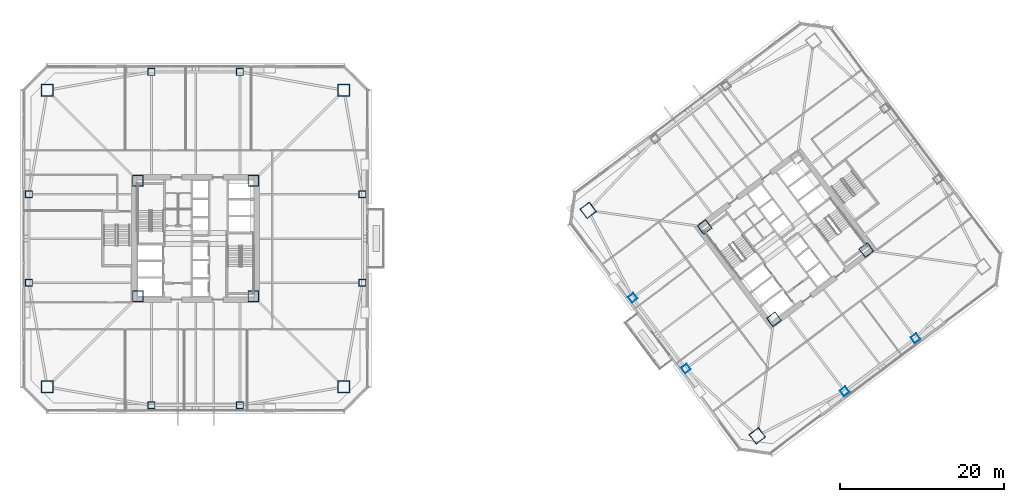
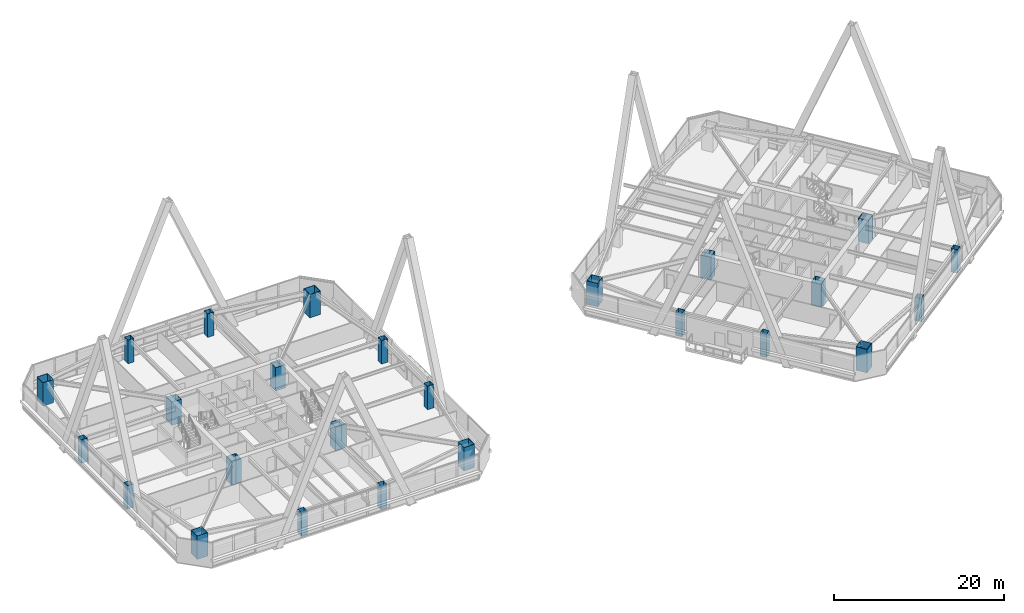
# One storey, part 1 of 54: 25 columns.
"""IFC4 building model written with IfcOpenShell, lengths in metres."""

import ifcopenshell
import ifcopenshell.guid

model = None  # the IFC model being written
_history = None  # IfcOwnerHistory: only IFC2X3 demands one
_inside = {}  # id of a spatial element -> (the spatial element, [elements in it])
_under = {}  # id of a project, library or spatial element -> (it, [spatial elements below it])
_declared = {}  # id of a project -> (the project, [libraries it declares])
_typed = {}  # id of a type object -> (the type object, [elements of that type])
_made_of = {}  # id of a material, layer set ... -> (it, [elements and type objects made of it])


def new_model(schema):
    """Start an empty IFC model of exactly this schema.

    Asked for "IFC4X3", IfcOpenShell would pick the latest addendum, in which some entities
    have other attributes; the version numbers below select the first issue.
    IFC2X3 requires an IfcOwnerHistory on every rooted entity: one is made here for all.
    """
    global model, _history
    if schema == "IFC4X3":
        model = ifcopenshell.file(schema_version=(4, 3, 0, 0))
    else:
        model = ifcopenshell.file(schema=schema)
    _inside.clear()
    _under.clear()
    _declared.clear()
    _typed.clear()
    _made_of.clear()
    _history = None
    if model.schema == "IFC2X3":
        org = make("IfcOrganization", Name="unknown")
        user = make(
            "IfcPersonAndOrganization",
            ThePerson=make("IfcPerson", FamilyName="unknown"),
            TheOrganization=org,
        )
        app = make(
            "IfcApplication",
            ApplicationDeveloper=org,
            Version="unknown",
            ApplicationFullName="unknown",
            ApplicationIdentifier="unknown",
        )
        _history = make(
            "IfcOwnerHistory",
            OwningUser=user,
            OwningApplication=app,
            ChangeAction="ADDED",
            CreationDate=0,
        )
    return model


def make(cls, **values):
    """One entity of the class cls with the attributes given. An attribute that is None is left unset."""
    return model.create_entity(
        cls, **{name: value for name, value in values.items() if value is not None}
    )


def rooted(cls, **values):
    """An entity with a GlobalId (a new one), such as an element, a storey or a relation."""
    return make(cls, GlobalId=ifcopenshell.guid.new(), OwnerHistory=_history, **values)


def si_unit(unit_type, name, prefix=None):
    """IfcSIUnit, for example si_unit("LENGTHUNIT", "METRE", prefix="MILLI")."""
    return make("IfcSIUnit", UnitType=unit_type, Prefix=prefix, Name=name)


def assignment(units):
    """IfcUnitAssignment: the units of a project."""
    return None if units is None else make("IfcUnitAssignment", Units=units)


def point(xyz):
    """IfcCartesianPoint."""
    return None if xyz is None else make("IfcCartesianPoint", Coordinates=xyz)


def direction(xyz):
    """IfcDirection."""
    return None if xyz is None else make("IfcDirection", DirectionRatios=xyz)


def frame(location, z_axis=None, x_axis=None):
    """IfcAxis2Placement3D, a coordinate frame: its origin and axes. An axis left out is left unset."""
    return make(
        "IfcAxis2Placement3D",
        Location=point(location),
        Axis=direction(z_axis),
        RefDirection=direction(x_axis),
    )


def frame_2d(location, x_axis=None):
    """IfcAxis2Placement2D, a coordinate frame in the plane: its origin and x axis."""
    return make(
        "IfcAxis2Placement2D", Location=point(location), RefDirection=direction(x_axis)
    )


def origin():
    """The frame at (0, 0, 0) with its axes left unset."""
    return frame((0.0, 0.0, 0.0))


def origin_2d():
    """The frame at (0, 0) in the plane with its x axis left unset."""
    return frame_2d((0.0, 0.0))


def place(relative_to, where):
    """IfcLocalPlacement: puts the frame where relative to a parent placement (None: the world)."""
    return make(
        "IfcLocalPlacement", PlacementRelTo=relative_to, RelativePlacement=where
    )


def context(
    kind, dimensions, precision=None, world=None, true_north=None, identifier=None
):
    """IfcGeometricRepresentationContext, for example the 3D "Model" context."""
    return make(
        "IfcGeometricRepresentationContext",
        ContextIdentifier=identifier,
        ContextType=kind,
        CoordinateSpaceDimension=dimensions,
        Precision=precision,
        WorldCoordinateSystem=world,
        TrueNorth=true_north,
    )


def subcontext(parent, identifier, kind, view, scale=None):
    """IfcGeometricRepresentationSubContext, for example "Body" below "Model"."""
    return make(
        "IfcGeometricRepresentationSubContext",
        ContextIdentifier=identifier,
        ContextType=kind,
        ParentContext=parent,
        TargetScale=scale,
        TargetView=view,
    )


def project(units=None, contexts=None):
    """IfcProject with its units and contexts."""
    return rooted(
        "IfcProject",
        Name="project",
        RepresentationContexts=contexts,
        UnitsInContext=assignment(units),
    )


def spatial(cls, under=None, at=None, **own):
    """A site, building, storey or space (cls), placed at a placement, below another one or the project."""
    s = rooted(cls, ObjectPlacement=at, **own)
    if under is not None:
        _under.setdefault(under.id(), (under, []))[1].append(s)
    return s


def profile(cls, at=None, kind="AREA", **sizes):
    """A parametric profile (cls). Its sizes go by their IFC names, for example OverallWidth=200.0."""
    return make(cls, ProfileType=kind, Position=at, **sizes)


def hollow_rectangle(**sizes):
    """IfcRectangleHollowProfileDef."""
    return profile("IfcRectangleHollowProfileDef", **sizes)


def extrude(swept, where, along, depth):
    """IfcExtrudedAreaSolid: the profile swept, set in the frame where, extruded along a direction by depth."""
    return make(
        "IfcExtrudedAreaSolid",
        SweptArea=swept,
        Position=where,
        ExtrudedDirection=direction(along),
        Depth=depth,
    )


def shape(context_of_items, identifier, shape_type, items):
    """IfcShapeRepresentation: the items that make up one representation, for example the "Body"."""
    return make(
        "IfcShapeRepresentation",
        ContextOfItems=context_of_items,
        RepresentationIdentifier=identifier,
        RepresentationType=shape_type,
        Items=items,
    )


def material(Name=None, Category=None):
    """IfcMaterial."""
    return make("IfcMaterial", Name=Name, Category=Category)


def material_profile(
    of_material, cross_section, Name=None, Category=None, Priority=None
):
    """IfcMaterialProfile: a cross section and its material."""
    return make(
        "IfcMaterialProfile",
        Name=Name,
        Material=of_material,
        Profile=cross_section,
        Priority=Priority,
        Category=Category,
    )


def profile_set(profiles, Name=None, composite=None):
    """IfcMaterialProfileSet."""
    return make(
        "IfcMaterialProfileSet",
        Name=Name,
        MaterialProfiles=profiles,
        CompositeProfile=composite,
    )


def made_of(thing, what):
    """Note that an element or type object is made of a material, layer set ...; save() writes the relation."""
    if what is not None:
        _made_of.setdefault(what.id(), (what, []))[1].append(thing)
    return thing


def type_object(cls, material=None, **own):
    """A type object (cls), such as IfcWallType, which elements share."""
    return made_of(rooted(cls, **own), material)


def element(
    cls,
    number,
    at=None,
    inside=None,
    cuts=None,
    type_object=None,
    material=None,
    context=None,
    identifier="Body",
    shape_type=None,
    held_by="IfcProductDefinitionShape",
    body=None,
    shapes=None,
    **own,
):
    """One element of the class cls, such as IfcWall. Its Tag is "e" and its number.

    at: its placement. inside: the storey or other place that contains it. cuts: it is an
    opening in that element (IfcRelVoidsElement). A single representation is given by context,
    identifier, shape_type and body (its items); several are given by shapes. held_by: the class
    of the entity that holds the representations. save() writes the other relations.
    """
    e = rooted(cls, Tag="e%d" % number, ObjectPlacement=at, **own)
    if body is not None:
        shapes = [shape(context, identifier, shape_type, body)]
    if shapes is not None:
        e.Representation = make(held_by, Representations=shapes)
    if inside is not None:
        _inside.setdefault(inside.id(), (inside, []))[1].append(e)
    if cuts is not None:
        rooted(
            "IfcRelVoidsElement", RelatingBuildingElement=cuts, RelatedOpeningElement=e
        )
    if type_object is not None:
        _typed.setdefault(type_object.id(), (type_object, []))[1].append(e)
    return made_of(e, material)


def aggregate(whole, parts):
    """IfcRelAggregates: a whole, such as a stair, and the parts it consists of."""
    return rooted("IfcRelAggregates", RelatingObject=whole, RelatedObjects=parts)


def save(model, path):
    """Write the relations noted so far, then the file.

    IfcRelAggregates (storeys below a building ...), IfcRelContainedInSpatialStructure (elements
    in a storey), IfcRelDefinesByType, IfcRelAssociatesMaterial and IfcRelDeclares: one each for
    every whole, place, type object, material and project.
    """
    for whole, parts in _under.values():
        aggregate(whole, parts)
    for where, things in _inside.values():
        rooted(
            "IfcRelContainedInSpatialStructure",
            RelatedElements=things,
            RelatingStructure=where,
        )
    for kind, things in _typed.values():
        rooted("IfcRelDefinesByType", RelatedObjects=things, RelatingType=kind)
    for what, things in _made_of.values():
        rooted("IfcRelAssociatesMaterial", RelatedObjects=things, RelatingMaterial=what)
    for by, libraries in _declared.values():
        rooted("IfcRelDeclares", RelatingContext=by, RelatedDefinitions=libraries)
    model.write(path)


model = new_model("IFC4")

# Units and contexts
model_context = context("Model", 3, precision=1e-05, world=origin(), true_north=direction((0.0, 1.0)))
body_context = subcontext(model_context, "Body", "Model", "MODEL_VIEW")
ifc_project = project(units=[si_unit("LENGTHUNIT", "METRE"), si_unit("AREAUNIT", "SQUARE_METRE"), si_unit("VOLUMEUNIT", "CUBIC_METRE"), si_unit("PLANEANGLEUNIT", "RADIAN"), si_unit("MASSUNIT", "GRAM", prefix="KILO")], contexts=[model_context])

# Site, building, storey
site_placement = place(None, origin())
site = spatial("IfcSite", under=ifc_project, at=site_placement, CompositionType="ELEMENT")
building_placement = place(site_placement, origin())
building = spatial("IfcBuilding", under=site, at=building_placement, Name="Tashvorn Skyway Center", CompositionType="ELEMENT")
storey_placement = place(building_placement, frame((0.0, 0.0, 88.5)))
storey = spatial("IfcBuildingStorey", under=building, at=storey_placement, Name="L23", CompositionType="ELEMENT", Elevation=88.5)

# Columns
ifc_material = material(Name="Steel ASTM A572 Grade 50", Category="steel")
ifc_material_profile_1 = material_profile(ifc_material, hollow_rectangle(XDim=1.300048828125, YDim=1.300048828125, WallThickness=0.050048828125, at=origin_2d()), Name="BOX1300x1300x50")
ifc_profile_set_1 = profile_set([ifc_material_profile_1], Name="Steel ASTM A572 Grade 50")
column_type_1 = type_object("IfcColumnType", Name="COL-BOX1300x1300x50", PredefinedType="COLUMN", material=ifc_profile_set_1)
for number, where, z_axis, x_axis, name in (
    (1, (34.949951171875, 24.949951171875, 0.0), (0.0, 0.0, 1.0), (1.0, 0.0, 0.0), "Tower 1 L23 Core Corner Column CC-SW"),
    (2, (49.050048828125, 24.949951171875, 0.0), (0.0, 0.0, 1.0), (1.0, 0.0, 0.0), "Tower 1 L23 Core Corner Column CC-SE"),
    (3, (49.050048828125, 39.050048828125, 0.0), (0.0, 0.0, 1.0), (1.0, 0.0, 0.0), "Tower 1 L23 Core Corner Column CC-NE"),
    (4, (34.949951171875, 39.050048828125, 0.0), (0.0, 0.0, 1.0), (1.0, 0.0, 0.0), "Tower 1 L23 Core Corner Column CC-NW"),
    (5, (112.590087890625, 22.1298828125, 0.0), (0.0, 0.0, 1.0), (0.799999996291, 0.600000004945, 0.0), "Tower 2 L23 Core Corner Column CC-SW"),
    (6, (123.8701171875, 30.590087890625, 0.0), (0.0, 0.0, 1.0), (0.799999996291, 0.600000004945, 0.0), "Tower 2 L23 Core Corner Column CC-SE"),
    (7, (104.1298828125, 33.409912109375, 0.0), (0.0, 0.0, 1.0), (0.799999996291, 0.600000004945, 0.0), "Tower 2 L23 Core Corner Column CC-NW"),
):
    element("IfcColumn", number, at=place(storey_placement, frame(where, z_axis=z_axis, x_axis=x_axis)), inside=storey, type_object=column_type_1, Name=name, PredefinedType="COLUMN", context=body_context, shape_type="SweptSolid", body=[
        extrude(hollow_rectangle(XDim=1.300048828125, YDim=1.300048828125, WallThickness=0.050048828125, at=origin_2d()), origin(), (0.0, 0.0, 1.0), 3.35009765625),
    ])
ifc_material_profile_2 = material_profile(ifc_material, hollow_rectangle(XDim=1.449951171875, YDim=1.449951171875, WallThickness=0.054931640625, at=origin_2d()), Name="BOX1450x1450x55")
ifc_profile_set_2 = profile_set([ifc_material_profile_2], Name="Steel ASTM A572 Grade 50")
column_type_2 = type_object("IfcColumnType", Name="COL-BOX1450x1450x55", PredefinedType="COLUMN", material=ifc_profile_set_2)
for number, where, z_axis, x_axis, name in (
    (8, (23.89990234375, 13.89990234375, 0.0), (0.0, 0.0, 1.0), (1.0, 0.0, 0.0), "Tower 1 L23 Mega-Column MC-SW"),
    (9, (60.10009765625, 13.89990234375, 0.0), (0.0, 0.0, 1.0), (1.0, 0.0, 0.0), "Tower 1 L23 Mega-Column MC-SE"),
    (10, (60.10009765625, 50.10009765625, 0.0), (0.0, 0.0, 1.0), (1.0, 0.0, 0.0), "Tower 1 L23 Mega-Column MC-NE"),
    (11, (23.89990234375, 50.10009765625, 0.0), (0.0, 0.0, 1.0), (1.0, 0.0, 0.0), "Tower 1 L23 Mega-Column MC-NW"),
    (12, (110.56005859375, 7.919921875, 0.0), (0.0, 0.0, 1.0), (0.799999996291, 0.600000004945, 0.0), "Tower 2 L23 Mega-Column MC-SW"),
    (13, (89.919921875, 35.43994140625, 0.0), (0.0, 0.0, 1.0), (0.799999996291, 0.600000004945, 0.0), "Tower 2 L23 Mega-Column MC-NW"),
):
    element("IfcColumn", number, at=place(storey_placement, frame(where, z_axis=z_axis, x_axis=x_axis)), inside=storey, type_object=column_type_2, Name=name, PredefinedType="COLUMN", context=body_context, shape_type="SweptSolid", body=[
        extrude(hollow_rectangle(XDim=1.449951171875, YDim=1.449951171875, WallThickness=0.054931640625, at=origin_2d()), origin(), (0.0, 0.0, 1.0), 3.35009765625),
    ])
ifc_material_profile_3 = material_profile(ifc_material, hollow_rectangle(XDim=0.85009765625, YDim=0.85009765625, WallThickness=0.034912109375, at=origin_2d()), Name="BOX850x850x35")
ifc_profile_set_3 = profile_set([ifc_material_profile_3], Name="Steel ASTM A572 Grade 50")
column_type_3 = type_object("IfcColumnType", Name="COL-BOX850x850x35", PredefinedType="COLUMN", material=ifc_profile_set_3)
for number, where, z_axis, x_axis, name in (
    (14, (36.60009765625, 11.64990234375, 0.0), (0.0, 0.0, 1.0), (1.0, 0.0, 0.0), "Tower 1 L23 Perimeter Column FC-S1"),
    (15, (47.39990234375, 11.64990234375, 0.0), (0.0, 0.0, 1.0), (1.0, 0.0, 0.0), "Tower 1 L23 Perimeter Column FC-S2"),
    (16, (62.35009765625, 26.60009765625, 0.0), (0.0, 0.0, 1.0), (1.0, 0.0, 0.0), "Tower 1 L23 Perimeter Column FC-E1"),
    (17, (62.35009765625, 37.39990234375, 0.0), (0.0, 0.0, 1.0), (1.0, 0.0, 0.0), "Tower 1 L23 Perimeter Column FC-E2"),
    (18, (47.39990234375, 52.35009765625, 0.0), (0.0, 0.0, 1.0), (1.0, 0.0, 0.0), "Tower 1 L23 Perimeter Column FC-N1"),
    (19, (36.60009765625, 52.35009765625, 0.0), (0.0, 0.0, 1.0), (1.0, 0.0, 0.0), "Tower 1 L23 Perimeter Column FC-N2"),
    (20, (21.64990234375, 37.39990234375, 0.0), (0.0, 0.0, 1.0), (1.0, 0.0, 0.0), "Tower 1 L23 Perimeter Column FC-W1"),
    (21, (21.64990234375, 26.60009765625, 0.0), (0.0, 0.0, 1.0), (1.0, 0.0, 0.0), "Tower 1 L23 Perimeter Column FC-W2"),
    (22, (121.22998046875, 13.360107421875, 0.0), (0.0, 0.0, 1.0), (0.799999996291, 0.600000004945, 0.0), "Tower 2 L23 Perimeter Column FC-S1"),
    (23, (129.8701171875, 19.840087890625, 0.0), (0.0, 0.0, 1.0), (0.799999996291, 0.600000004945, 0.0), "Tower 2 L23 Perimeter Column FC-S2"),
    (24, (95.360107421875, 24.77001953125, 0.0), (0.0, 0.0, 1.0), (0.799999996291, 0.600000004945, 0.0), "Tower 2 L23 Perimeter Column FC-W1"),
    (25, (101.840087890625, 16.1298828125, 0.0), (0.0, 0.0, 1.0), (0.799999996291, 0.600000004945, 0.0), "Tower 2 L23 Perimeter Column FC-W2"),
):
    element("IfcColumn", number, at=place(storey_placement, frame(where, z_axis=z_axis, x_axis=x_axis)), inside=storey, type_object=column_type_3, Name=name, PredefinedType="COLUMN", context=body_context, shape_type="SweptSolid", body=[
        extrude(hollow_rectangle(XDim=0.85009765625, YDim=0.85009765625, WallThickness=0.034912109375, at=origin_2d()), origin(), (0.0, 0.0, 1.0), 3.35009765625),
    ])

save(model, "model.ifc")
